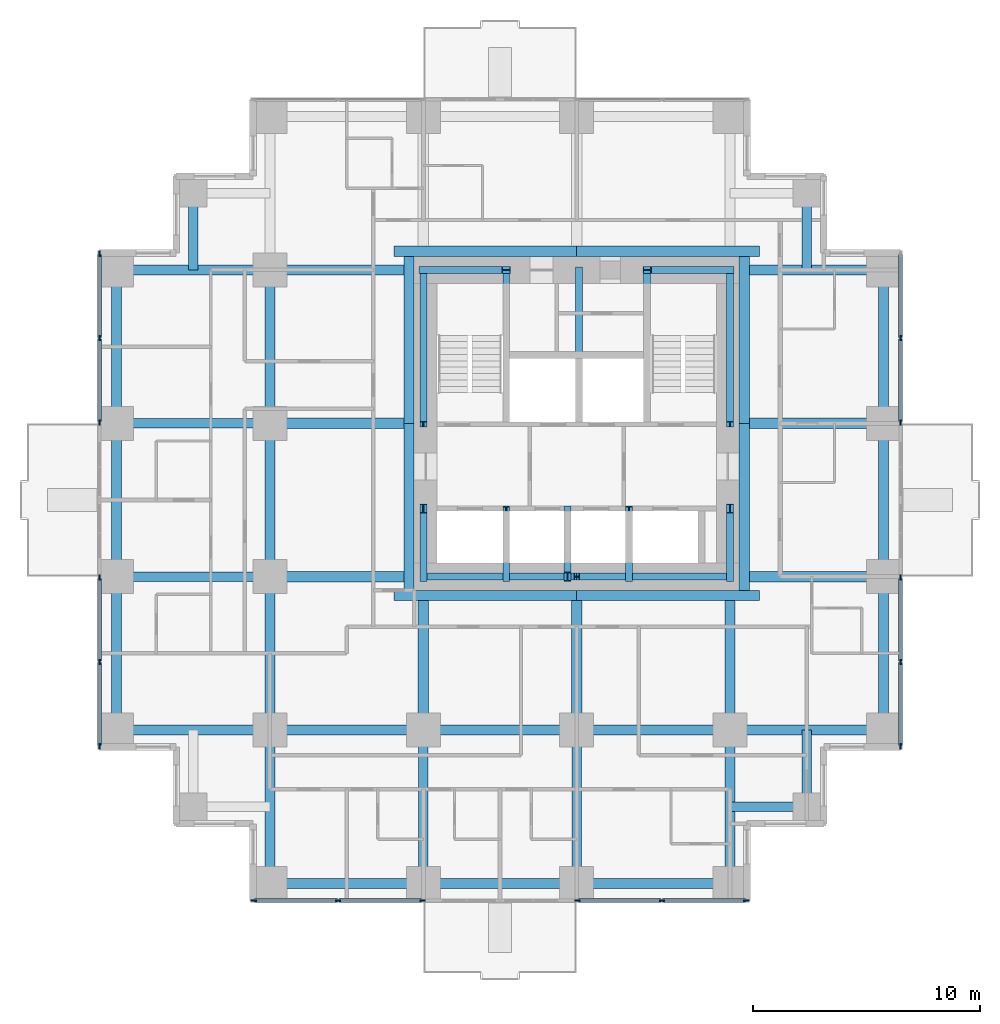
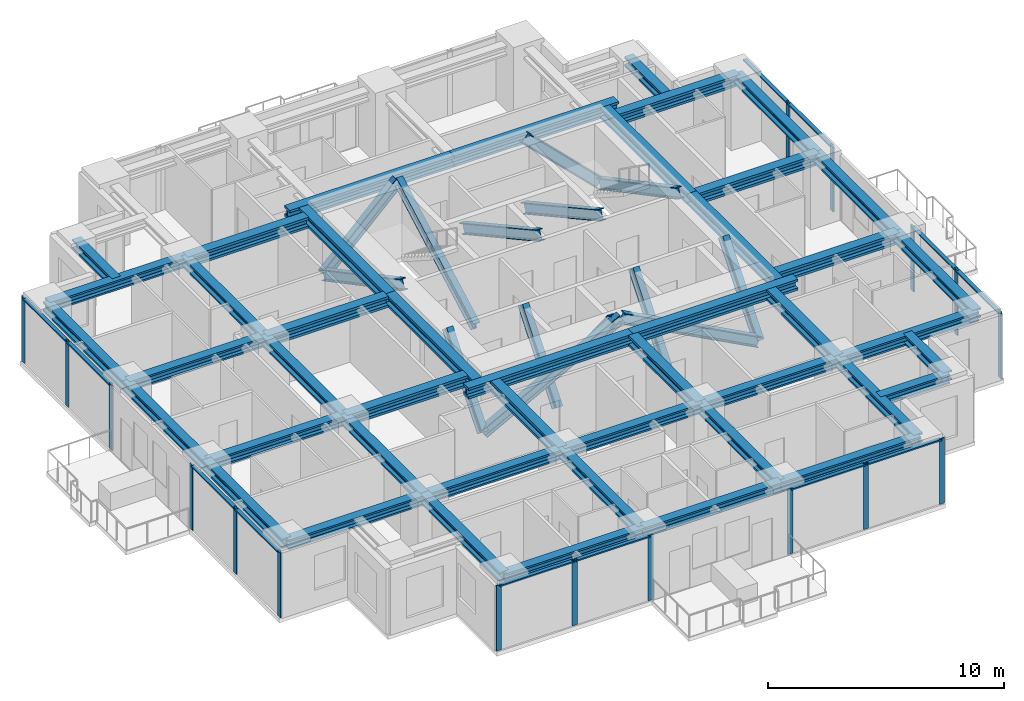
# One storey, part 2 of 10: 45 beams, 43 members, 6 elements without a shape of their own.
"""IFC4 building model written with IfcOpenShell, lengths in metres."""

from ifc_helpers import new_model, si_unit, direction, frame, origin, origin_2d, place, context, subcontext, project, spatial, rectangle, i_section, extrude, material, material_profile, profile_set, type_object, element, aggregate, save


model = new_model("IFC4")

# Units and contexts
model_context = context("Model", 3, precision=1e-05, world=origin(), true_north=direction((0.0, 1.0)))
body_context = subcontext(model_context, "Body", "Model", "MODEL_VIEW")
ifc_project = project(units=[si_unit("LENGTHUNIT", "METRE"), si_unit("AREAUNIT", "SQUARE_METRE"), si_unit("VOLUMEUNIT", "CUBIC_METRE"), si_unit("PLANEANGLEUNIT", "RADIAN"), si_unit("MASSUNIT", "GRAM", prefix="KILO")], contexts=[model_context])

# Site, building, storey
site_placement = place(None, origin())
site = spatial("IfcSite", under=ifc_project, at=site_placement, CompositionType="ELEMENT")
building_placement = place(site_placement, origin())
building = spatial("IfcBuilding", under=site, at=building_placement, Name="Nyansa Garden Tower", CompositionType="ELEMENT")
storey_placement = place(building_placement, frame((0.0, 0.0, 149.39990234375)))
storey = spatial("IfcBuildingStorey", under=building, at=storey_placement, Name="L40", CompositionType="ELEMENT", Elevation=149.39990234375)

# Curtain wall, members
ifc_material_1 = material(Name="Black anodised aluminium, dark tinted double glazing", Category="aluminium")
curtain_wall_type = type_object("IfcCurtainWallType", Name="Inner skin curtain wall ISW-C", PredefinedType="USERDEFINED", material=ifc_material_1)
curtain_wall_1_placement = place(storey_placement, origin())
curtain_wall_1 = element("IfcCurtainWall", 1, at=curtain_wall_1_placement, inside=storey, type_object=curtain_wall_type, Name="Inner skin curtain wall L40 E", ObjectType="UNITISED CURTAIN WALL", PredefinedType="USERDEFINED")
ifc_material_2 = material(Name="Black anodised aluminium", Category="aluminium")
ifc_material_profile_1 = material_profile(ifc_material_2, rectangle(XDim=0.070068359375, YDim=0.25, at=origin_2d()), Name="Mullion 250x70")
ifc_profile_set_1 = profile_set([ifc_material_profile_1], Name="Black anodised aluminium")
member_type_1 = type_object("IfcMemberType", Name="Mullion ISW-C 250x70", PredefinedType="MULLION", material=ifc_profile_set_1)
member_1_placement = place(storey_placement, frame((34.5, 6.034912109375, 0.0), z_axis=(0.0, 0.0, 1.0), x_axis=(-1.0, 0.0, 0.0)))
member_1 = element("IfcMember", 2, at=member_1_placement, type_object=member_type_1, Name="ISW-C mullion 1", PredefinedType="MULLION", context=body_context, shape_type="SweptSolid", body=[
    extrude(rectangle(XDim=0.070068359375, YDim=0.25, at=origin_2d()), origin(), (0.0, 0.0, 1.0), 3.375),
])
member_2_placement = place(storey_placement, frame((34.5, 9.75, 0.0), z_axis=(0.0, 0.0, 1.0), x_axis=(-1.0, 0.0, 0.0)))
member_2 = element("IfcMember", 3, at=member_2_placement, type_object=member_type_1, Name="ISW-C mullion 2", PredefinedType="MULLION", context=body_context, shape_type="SweptSolid", body=[
    extrude(rectangle(XDim=0.070068359375, YDim=0.25, at=origin_2d()), origin(), (0.0, 0.0, 1.0), 3.375),
])
member_3_placement = place(storey_placement, frame((34.5, 13.465087890625, 0.0), z_axis=(0.0, 0.0, 1.0), x_axis=(-1.0, 0.0, 0.0)))
member_3 = element("IfcMember", 4, at=member_3_placement, type_object=member_type_1, Name="ISW-C mullion 3", PredefinedType="MULLION", context=body_context, shape_type="SweptSolid", body=[
    extrude(rectangle(XDim=0.070068359375, YDim=0.25, at=origin_2d()), origin(), (0.0, 0.0, 1.0), 3.375),
])

curtain_wall_2_placement = place(storey_placement, origin())
curtain_wall_2 = element("IfcCurtainWall", 5, at=curtain_wall_2_placement, inside=storey, type_object=curtain_wall_type, Name="Inner skin curtain wall L40 E", ObjectType="UNITISED CURTAIN WALL", PredefinedType="USERDEFINED")
member_4_placement = place(storey_placement, frame((34.5, 20.284912109375, 0.0), z_axis=(0.0, 0.0, 1.0), x_axis=(-1.0, 0.0, 0.0)))
member_4 = element("IfcMember", 6, at=member_4_placement, type_object=member_type_1, Name="ISW-C mullion 1", PredefinedType="MULLION", context=body_context, shape_type="SweptSolid", body=[
    extrude(rectangle(XDim=0.070068359375, YDim=0.25, at=origin_2d()), origin(), (0.0, 0.0, 1.0), 3.375),
])
member_5_placement = place(storey_placement, frame((34.5, 24.0, 0.0), z_axis=(0.0, 0.0, 1.0), x_axis=(-1.0, 0.0, 0.0)))
member_5 = element("IfcMember", 7, at=member_5_placement, type_object=member_type_1, Name="ISW-C mullion 2", PredefinedType="MULLION", context=body_context, shape_type="SweptSolid", body=[
    extrude(rectangle(XDim=0.070068359375, YDim=0.25, at=origin_2d()), origin(), (0.0, 0.0, 1.0), 3.375),
])

curtain_wall_3_placement = place(storey_placement, origin())
curtain_wall_3 = element("IfcCurtainWall", 8, at=curtain_wall_3_placement, inside=storey, type_object=curtain_wall_type, Name="Inner skin curtain wall L40 W", ObjectType="UNITISED CURTAIN WALL", PredefinedType="USERDEFINED")
member_6_placement = place(storey_placement, frame((-0.75, 13.465087890625, 0.0), z_axis=(0.0, 0.0, 1.0), x_axis=(1.0, 0.0, 0.0)))
member_6 = element("IfcMember", 9, at=member_6_placement, type_object=member_type_1, Name="ISW-C mullion 1", PredefinedType="MULLION", context=body_context, shape_type="SweptSolid", body=[
    extrude(rectangle(XDim=0.070068359375, YDim=0.25, at=origin_2d()), origin(), (0.0, 0.0, 1.0), 3.375),
])
member_7_placement = place(storey_placement, frame((-0.75, 9.75, 0.0), z_axis=(0.0, 0.0, 1.0), x_axis=(1.0, 0.0, 0.0)))
member_7 = element("IfcMember", 10, at=member_7_placement, type_object=member_type_1, Name="ISW-C mullion 2", PredefinedType="MULLION", context=body_context, shape_type="SweptSolid", body=[
    extrude(rectangle(XDim=0.070068359375, YDim=0.25, at=origin_2d()), origin(), (0.0, 0.0, 1.0), 3.375),
])
member_8_placement = place(storey_placement, frame((-0.75, 6.034912109375, 0.0), z_axis=(0.0, 0.0, 1.0), x_axis=(1.0, 0.0, 0.0)))
member_8 = element("IfcMember", 11, at=member_8_placement, type_object=member_type_1, Name="ISW-C mullion 3", PredefinedType="MULLION", context=body_context, shape_type="SweptSolid", body=[
    extrude(rectangle(XDim=0.070068359375, YDim=0.25, at=origin_2d()), origin(), (0.0, 0.0, 1.0), 3.375),
])

curtain_wall_4_placement = place(storey_placement, origin())
curtain_wall_4 = element("IfcCurtainWall", 12, at=curtain_wall_4_placement, inside=storey, type_object=curtain_wall_type, Name="Inner skin curtain wall L40 W", ObjectType="UNITISED CURTAIN WALL", PredefinedType="USERDEFINED")
member_9_placement = place(storey_placement, frame((-0.75, 27.715087890625, 0.0), z_axis=(0.0, 0.0, 1.0), x_axis=(1.0, 0.0, 0.0)))
member_9 = element("IfcMember", 13, at=member_9_placement, type_object=member_type_1, Name="ISW-C mullion 1", PredefinedType="MULLION", context=body_context, shape_type="SweptSolid", body=[
    extrude(rectangle(XDim=0.070068359375, YDim=0.25, at=origin_2d()), origin(), (0.0, 0.0, 1.0), 3.375),
])
member_10_placement = place(storey_placement, frame((-0.75, 24.0, 0.0), z_axis=(0.0, 0.0, 1.0), x_axis=(1.0, 0.0, 0.0)))
member_10 = element("IfcMember", 14, at=member_10_placement, type_object=member_type_1, Name="ISW-C mullion 2", PredefinedType="MULLION", context=body_context, shape_type="SweptSolid", body=[
    extrude(rectangle(XDim=0.070068359375, YDim=0.25, at=origin_2d()), origin(), (0.0, 0.0, 1.0), 3.375),
])
member_11_placement = place(storey_placement, frame((-0.75, 20.284912109375, 0.0), z_axis=(0.0, 0.0, 1.0), x_axis=(1.0, 0.0, 0.0)))
member_11 = element("IfcMember", 15, at=member_11_placement, type_object=member_type_1, Name="ISW-C mullion 3", PredefinedType="MULLION", context=body_context, shape_type="SweptSolid", body=[
    extrude(rectangle(XDim=0.070068359375, YDim=0.25, at=origin_2d()), origin(), (0.0, 0.0, 1.0), 3.375),
])

curtain_wall_5_placement = place(storey_placement, origin())
curtain_wall_5 = element("IfcCurtainWall", 16, at=curtain_wall_5_placement, inside=storey, type_object=curtain_wall_type, Name="Inner skin curtain wall L40 S", ObjectType="UNITISED CURTAIN WALL", PredefinedType="USERDEFINED")
member_12_placement = place(storey_placement, frame((6.034912109375, -0.75, 0.0), z_axis=(0.0, 0.0, 1.0), x_axis=(0.0, 1.0, 0.0)))
member_12 = element("IfcMember", 17, at=member_12_placement, type_object=member_type_1, Name="ISW-C mullion 1", PredefinedType="MULLION", context=body_context, shape_type="SweptSolid", body=[
    extrude(rectangle(XDim=0.070068359375, YDim=0.25, at=origin_2d()), origin(), (0.0, 0.0, 1.0), 3.375),
])
member_13_placement = place(storey_placement, frame((9.75, -0.75, 0.0), z_axis=(0.0, 0.0, 1.0), x_axis=(0.0, 1.0, 0.0)))
member_13 = element("IfcMember", 18, at=member_13_placement, type_object=member_type_1, Name="ISW-C mullion 2", PredefinedType="MULLION", context=body_context, shape_type="SweptSolid", body=[
    extrude(rectangle(XDim=0.070068359375, YDim=0.25, at=origin_2d()), origin(), (0.0, 0.0, 1.0), 3.375),
])
member_14_placement = place(storey_placement, frame((13.465087890625, -0.75, 0.0), z_axis=(0.0, 0.0, 1.0), x_axis=(0.0, 1.0, 0.0)))
member_14 = element("IfcMember", 19, at=member_14_placement, type_object=member_type_1, Name="ISW-C mullion 3", PredefinedType="MULLION", context=body_context, shape_type="SweptSolid", body=[
    extrude(rectangle(XDim=0.070068359375, YDim=0.25, at=origin_2d()), origin(), (0.0, 0.0, 1.0), 3.375),
])

curtain_wall_6_placement = place(storey_placement, origin())
curtain_wall_6 = element("IfcCurtainWall", 20, at=curtain_wall_6_placement, inside=storey, type_object=curtain_wall_type, Name="Inner skin curtain wall L40 S", ObjectType="UNITISED CURTAIN WALL", PredefinedType="USERDEFINED")
member_15_placement = place(storey_placement, frame((20.284912109375, -0.75, 0.0), z_axis=(0.0, 0.0, 1.0), x_axis=(0.0, 1.0, 0.0)))
member_15 = element("IfcMember", 21, at=member_15_placement, type_object=member_type_1, Name="ISW-C mullion 1", PredefinedType="MULLION", context=body_context, shape_type="SweptSolid", body=[
    extrude(rectangle(XDim=0.070068359375, YDim=0.25, at=origin_2d()), origin(), (0.0, 0.0, 1.0), 3.375),
])
member_16_placement = place(storey_placement, frame((24.0, -0.75, 0.0), z_axis=(0.0, 0.0, 1.0), x_axis=(0.0, 1.0, 0.0)))
member_16 = element("IfcMember", 22, at=member_16_placement, type_object=member_type_1, Name="ISW-C mullion 2", PredefinedType="MULLION", context=body_context, shape_type="SweptSolid", body=[
    extrude(rectangle(XDim=0.070068359375, YDim=0.25, at=origin_2d()), origin(), (0.0, 0.0, 1.0), 3.375),
])
member_17_placement = place(storey_placement, frame((27.715087890625, -0.75, 0.0), z_axis=(0.0, 0.0, 1.0), x_axis=(0.0, 1.0, 0.0)))
member_17 = element("IfcMember", 23, at=member_17_placement, type_object=member_type_1, Name="ISW-C mullion 3", PredefinedType="MULLION", context=body_context, shape_type="SweptSolid", body=[
    extrude(rectangle(XDim=0.070068359375, YDim=0.25, at=origin_2d()), origin(), (0.0, 0.0, 1.0), 3.375),
])

# Members
ifc_material_3 = material(Name="Steel S355", Category="steel")
ifc_material_profile_2 = material_profile(ifc_material_3, i_section(OverallWidth=0.305908203125, OverallDepth=0.52392578125, WebThickness=0.02099609375, FlangeThickness=0.0400390625, FilletRadius=0.027099609375, at=origin_2d()), Name="HE 500 M")
ifc_profile_set_2 = profile_set([ifc_material_profile_2], Name="Steel S355")
member_type_2 = type_object("IfcMemberType", Name="Perimeter brace HE 500 M", PredefinedType="BRACE", material=ifc_profile_set_2)
for number, where, z_axis, x_axis, name in (
    (24, (13.5, 13.5, 0.0), (0.882347640589, 0.0, 0.47059817376), (0.0, 1.0, 0.0), "Core brace CS1 L40"),
    (25, (27.0, 13.5, 0.0), (-0.882347640589, 0.0, 0.47059817376), (0.0, -1.0, 0.0), "Core brace CS2 L40"),
):
    element("IfcMember", number, at=place(storey_placement, frame(where, z_axis=z_axis, x_axis=x_axis)), inside=storey, type_object=member_type_2, Name=name, PredefinedType="BRACE", context=body_context, shape_type="SweptSolid", body=[
        extrude(i_section(OverallWidth=0.305908203125, OverallDepth=0.52392578125, WebThickness=0.02099609375, FlangeThickness=0.0400390625, FilletRadius=0.027099609375, at=origin_2d()), origin(), (0.0, 0.0, 1.0), 7.650146484375),
    ])
for number, where, z_axis, x_axis, name in (
    (26, (13.5, 27.0, 0.0), (0.711947531702, 0.0, 0.702232662373), (0.0, 1.0, 0.0), "Core brace CN3 L40"),
    (27, (27.0, 27.0, 0.0), (-0.711947531702, 0.0, 0.702232662373), (0.0, -1.0, 0.0), "Core brace CN4 L40"),
):
    element("IfcMember", number, at=place(storey_placement, frame(where, z_axis=z_axis, x_axis=x_axis)), inside=storey, type_object=member_type_2, Name=name, PredefinedType="BRACE", context=body_context, shape_type="SweptSolid", body=[
        extrude(i_section(OverallWidth=0.305908203125, OverallDepth=0.52392578125, WebThickness=0.02099609375, FlangeThickness=0.0400390625, FilletRadius=0.027099609375, at=origin_2d()), origin(), (0.0, 0.0, 1.0), 5.126708984375),
    ])
member_18_placement = place(storey_placement, frame((13.5, 13.5, 0.0), z_axis=(0.0, 0.640174150918, 0.768229820104), x_axis=(-1.0, 0.0, 0.0)))
element("IfcMember", 28, at=member_18_placement, inside=storey, type_object=member_type_2, Name="Core brace CW5 L40", PredefinedType="BRACE", context=body_context, shape_type="SweptSolid", body=[
    extrude(i_section(OverallWidth=0.305908203125, OverallDepth=0.52392578125, WebThickness=0.02099609375, FlangeThickness=0.0400390625, FilletRadius=0.027099609375, at=origin_2d()), origin(), (0.0, 0.0, 1.0), 4.686279296875),
])
member_19_placement = place(storey_placement, frame((13.5, 27.0, 0.0), z_axis=(0.0, -0.883784057226, 0.467895009796), x_axis=(1.0, 0.0, 0.0)))
element("IfcMember", 29, at=member_19_placement, inside=storey, type_object=member_type_2, Name="Core brace CW6 L40", PredefinedType="BRACE", context=body_context, shape_type="SweptSolid", body=[
    extrude(i_section(OverallWidth=0.305908203125, OverallDepth=0.52392578125, WebThickness=0.02099609375, FlangeThickness=0.0400390625, FilletRadius=0.027099609375, at=origin_2d()), origin(), (0.0, 0.0, 1.0), 7.6943359375),
])
member_20_placement = place(storey_placement, frame((27.0, 13.5, 0.0), z_axis=(0.0, 0.640174150918, 0.768229820104), x_axis=(-1.0, 0.0, 0.0)))
element("IfcMember", 30, at=member_20_placement, inside=storey, type_object=member_type_2, Name="Core brace CE7 L40", PredefinedType="BRACE", context=body_context, shape_type="SweptSolid", body=[
    extrude(i_section(OverallWidth=0.305908203125, OverallDepth=0.52392578125, WebThickness=0.02099609375, FlangeThickness=0.0400390625, FilletRadius=0.027099609375, at=origin_2d()), origin(), (0.0, 0.0, 1.0), 4.686279296875),
])
member_21_placement = place(storey_placement, frame((27.0, 27.0, 0.0), z_axis=(0.0, -0.883784057226, 0.467895009796), x_axis=(1.0, 0.0, 0.0)))
element("IfcMember", 31, at=member_21_placement, inside=storey, type_object=member_type_2, Name="Core brace CE8 L40", PredefinedType="BRACE", context=body_context, shape_type="SweptSolid", body=[
    extrude(i_section(OverallWidth=0.305908203125, OverallDepth=0.52392578125, WebThickness=0.02099609375, FlangeThickness=0.0400390625, FilletRadius=0.027099609375, at=origin_2d()), origin(), (0.0, 0.0, 1.0), 7.6943359375),
])
for number, where, z_axis, x_axis, name in (
    (32, (17.14990234375, 20.449951171875, 0.0), (0.0, 0.876353113771, 0.481669201822), (-1.0, 0.0, 0.0), "Core brace CWS9 L40"),
    (33, (23.35009765625, 27.0, 0.0), (0.0, -0.876353113771, 0.481669201822), (1.0, 0.0, 0.0), "Core brace CES10 L40"),
):
    element("IfcMember", number, at=place(storey_placement, frame(where, z_axis=z_axis, x_axis=x_axis)), inside=storey, type_object=member_type_2, Name=name, PredefinedType="BRACE", context=body_context, shape_type="SweptSolid", body=[
        extrude(i_section(OverallWidth=0.305908203125, OverallDepth=0.52392578125, WebThickness=0.02099609375, FlangeThickness=0.0400390625, FilletRadius=0.027099609375, at=origin_2d()), origin(), (0.0, 0.0, 1.0), 7.47412109375),
    ])
for number, where, z_axis, x_axis, name in (
    (34, (17.14990234375, 13.5, 0.0), (0.0, 0.627306405886, 0.778772542617), (-1.0, 0.0, 0.0), "Core brace CSW11 L40"),
    (35, (19.85009765625, 16.39990234375, 0.0), (0.0, -0.627306405886, 0.778772542617), (1.0, 0.0, 0.0), "Core brace CSW12 L40"),
    (36, (22.550048828125, 13.5, 0.0), (0.0, 0.627306405886, 0.778772542617), (-1.0, 0.0, 0.0), "Core brace CSW13 L40"),
):
    element("IfcMember", number, at=place(storey_placement, frame(where, z_axis=z_axis, x_axis=x_axis)), inside=storey, type_object=member_type_2, Name=name, PredefinedType="BRACE", context=body_context, shape_type="SweptSolid", body=[
        extrude(i_section(OverallWidth=0.305908203125, OverallDepth=0.52392578125, WebThickness=0.02099609375, FlangeThickness=0.0400390625, FilletRadius=0.027099609375, at=origin_2d()), origin(), (0.0, 0.0, 1.0), 4.622802734375),
    ])
member_22_placement = place(storey_placement, frame((20.35009765625, 27.0, 0.0), z_axis=(0.0, -0.876353113771, 0.481669201822), x_axis=(1.0, 0.0, 0.0)))
element("IfcMember", 37, at=member_22_placement, inside=storey, type_object=member_type_2, Name="Core brace CNW14 L40", PredefinedType="BRACE", context=body_context, shape_type="SweptSolid", body=[
    extrude(i_section(OverallWidth=0.305908203125, OverallDepth=0.52392578125, WebThickness=0.02099609375, FlangeThickness=0.0400390625, FilletRadius=0.027099609375, at=origin_2d()), origin(), (0.0, 0.0, 1.0), 7.47412109375),
])

# Beams
ifc_material_4 = material(Name="Steel S355", Category="steel")
ifc_material_profile_3 = material_profile(ifc_material_4, i_section(OverallWidth=0.431884765625, OverallDepth=0.498046875, WebThickness=0.0556640625, FlangeThickness=0.0888671875, FilletRadius=0.014892578125, at=origin_2d()), Name="HD 400x744")
ifc_profile_set_3 = profile_set([ifc_material_profile_3], Name="Steel S355")
beam_type_1 = type_object("IfcBeamType", Name="Steel beam SBC1-744 HD 400x744", PredefinedType="BEAM", material=ifc_profile_set_3)
for number, where, z_axis, x_axis, name in (
    (38, (0.0, 6.75, 3.1259765625), (1.0, 0.0, 0.0), (0.0, 1.0, 0.0), "Steel beam 2/E-3/E L41"),
    (39, (0.0, 13.5, 3.1259765625), (1.0, 0.0, 0.0), (0.0, 1.0, 0.0), "Steel beam 2/F-3/F L41"),
    (40, (0.0, 20.25, 3.1259765625), (1.0, 0.0, 0.0), (0.0, 1.0, 0.0), "Steel beam 2/G-3/G L41"),
    (41, (0.0, 27.0, 3.1259765625), (1.0, 0.0, 0.0), (0.0, 1.0, 0.0), "Steel beam 2/H-3/H L41"),
    (42, (6.75, 0.0, 3.1259765625), (0.0, 1.0, 0.0), (-1.0, 0.0, 0.0), "Steel beam 3/D-3/E L41"),
    (43, (6.75, 6.75, 3.1259765625), (0.0, 1.0, 0.0), (-1.0, 0.0, 0.0), "Steel beam 3/E-3/F L41"),
    (44, (6.75, 6.75, 3.1259765625), (1.0, 0.0, 0.0), (0.0, 1.0, 0.0), "Steel beam 3/E-4/E L41"),
    (45, (6.75, 13.5, 3.1259765625), (0.0, 1.0, 0.0), (-1.0, 0.0, 0.0), "Steel beam 3/F-3/G L41"),
    (46, (6.75, 20.25, 3.1259765625), (0.0, 1.0, 0.0), (-1.0, 0.0, 0.0), "Steel beam 3/G-3/H L41"),
    (47, (13.5, 0.0, 3.1259765625), (0.0, 1.0, 0.0), (-1.0, 0.0, 0.0), "Steel beam 4/D-4/E L41"),
    (48, (13.5, 6.75, 3.1259765625), (1.0, 0.0, 0.0), (0.0, 1.0, 0.0), "Steel beam 4/E-5/E L41"),
    (49, (20.25, 0.0, 3.1259765625), (0.0, 1.0, 0.0), (-1.0, 0.0, 0.0), "Steel beam 5/D-5/E L41"),
    (50, (20.25, 6.75, 3.1259765625), (1.0, 0.0, 0.0), (0.0, 1.0, 0.0), "Steel beam 5/E-6/E L41"),
    (51, (27.0, 0.0, 3.1259765625), (0.0, 1.0, 0.0), (-1.0, 0.0, 0.0), "Steel beam 6/D-6/E L41"),
    (52, (27.0, 6.75, 3.1259765625), (1.0, 0.0, 0.0), (0.0, 1.0, 0.0), "Steel beam 6/E-7/E L41"),
):
    element("IfcBeam", number, at=place(storey_placement, frame(where, z_axis=z_axis, x_axis=x_axis)), inside=storey, type_object=beam_type_1, Name=name, PredefinedType="BEAM", context=body_context, shape_type="SweptSolid", body=[
        extrude(i_section(OverallWidth=0.431884765625, OverallDepth=0.498046875, WebThickness=0.0556640625, FlangeThickness=0.0888671875, FilletRadius=0.014892578125, at=origin_2d()), origin(), (0.0, 0.0, 1.0), 6.75),
    ])
ifc_material_5 = material(Name="Steel S355", Category="steel")
ifc_material_profile_4 = material_profile(ifc_material_5, i_section(OverallWidth=0.4541015625, OverallDepth=0.569091796875, WebThickness=0.077880859375, FlangeThickness=0.125, FilletRadius=0.014892578125, at=origin_2d()), Name="HD 400x1086")
ifc_profile_set_4 = profile_set([ifc_material_profile_4], Name="Steel S355")
beam_type_2 = type_object("IfcBeamType", Name="Steel beam SCL-1086 HD 400x1086", PredefinedType="BEAM", material=ifc_profile_set_4)
for number, where, z_axis, x_axis, name in (
    (53, (6.75, 13.5, 3.090576171875), (1.0, 0.0, 0.0), (0.0, 1.0, 0.0), "Steel beam 3/F-12.650/F L41"),
    (54, (6.75, 20.25, 3.090576171875), (1.0, 0.0, 0.0), (0.0, 1.0, 0.0), "Steel beam 3/G-12.650/G L41"),
    (55, (6.75, 27.0, 3.090576171875), (1.0, 0.0, 0.0), (0.0, 1.0, 0.0), "Steel beam 3/H-12.650/H L41"),
):
    element("IfcBeam", number, at=place(storey_placement, frame(where, z_axis=z_axis, x_axis=x_axis)), inside=storey, type_object=beam_type_2, Name=name, PredefinedType="BEAM", context=body_context, shape_type="SweptSolid", body=[
        extrude(i_section(OverallWidth=0.4541015625, OverallDepth=0.569091796875, WebThickness=0.077880859375, FlangeThickness=0.125, FilletRadius=0.014892578125, at=origin_2d()), origin(), (0.0, 0.0, 1.0), 5.89990234375),
    ])
for number, where, z_axis, x_axis, name in (
    (56, (13.5, 6.75, 3.090576171875), (0.0, 1.0, 0.0), (-1.0, 0.0, 0.0), "Steel beam 4/E-4/12.450 L41"),
    (57, (20.25, 6.75, 3.090576171875), (0.0, 1.0, 0.0), (-1.0, 0.0, 0.0), "Steel beam 5/E-5/12.450 L41"),
    (58, (27.0, 6.75, 3.090576171875), (0.0, 1.0, 0.0), (-1.0, 0.0, 0.0), "Steel beam 6/E-6/12.450 L41"),
):
    element("IfcBeam", number, at=place(storey_placement, frame(where, z_axis=z_axis, x_axis=x_axis)), inside=storey, type_object=beam_type_2, Name=name, PredefinedType="BEAM", context=body_context, shape_type="SweptSolid", body=[
        extrude(i_section(OverallWidth=0.4541015625, OverallDepth=0.569091796875, WebThickness=0.077880859375, FlangeThickness=0.125, FilletRadius=0.014892578125, at=origin_2d()), origin(), (0.0, 0.0, 1.0), 5.699951171875),
    ])
for number, where, z_axis, x_axis, name in (
    (59, (27.85009765625, 13.5, 3.090576171875), (1.0, 0.0, 0.0), (0.0, 1.0, 0.0), "Steel beam 27.850/F-7/F L41"),
    (60, (27.85009765625, 20.25, 3.090576171875), (1.0, 0.0, 0.0), (0.0, 1.0, 0.0), "Steel beam 27.850/G-7/G L41"),
    (61, (27.85009765625, 27.0, 3.090576171875), (1.0, 0.0, 0.0), (0.0, 1.0, 0.0), "Steel beam 27.850/H-7/H L41"),
):
    element("IfcBeam", number, at=place(storey_placement, frame(where, z_axis=z_axis, x_axis=x_axis)), inside=storey, type_object=beam_type_2, Name=name, PredefinedType="BEAM", context=body_context, shape_type="SweptSolid", body=[
        extrude(i_section(OverallWidth=0.4541015625, OverallDepth=0.569091796875, WebThickness=0.077880859375, FlangeThickness=0.125, FilletRadius=0.014892578125, at=origin_2d()), origin(), (0.0, 0.0, 1.0), 5.89990234375),
    ])
for number, where, z_axis, x_axis, name in (
    (62, (12.199951171875, 12.673095703125, 3.090576171875), (1.0, 0.0, 0.0), (0.0, 1.0, 0.0), "Steel core ledger beam S.1 L41"),
    (63, (20.25, 12.673095703125, 3.090576171875), (1.0, 0.0, 0.0), (0.0, 1.0, 0.0), "Steel core ledger beam S.2 L41"),
):
    element("IfcBeam", number, at=place(storey_placement, frame(where, z_axis=z_axis, x_axis=x_axis)), inside=storey, type_object=beam_type_2, Name=name, PredefinedType="BEAM", context=body_context, shape_type="SweptSolid", body=[
        extrude(i_section(OverallWidth=0.4541015625, OverallDepth=0.569091796875, WebThickness=0.077880859375, FlangeThickness=0.125, FilletRadius=0.014892578125, at=origin_2d()), origin(), (0.0, 0.0, 1.0), 8.050048828125),
    ])
for number, where, z_axis, x_axis, name in (
    (64, (27.626953125, 12.89990234375, 3.090576171875), (0.0, 1.0, 0.0), (-1.0, 0.0, 0.0), "Steel core ledger beam E.1 L41"),
    (65, (27.626953125, 20.25, 3.090576171875), (0.0, 1.0, 0.0), (-1.0, 0.0, 0.0), "Steel core ledger beam E.2 L41"),
):
    element("IfcBeam", number, at=place(storey_placement, frame(where, z_axis=z_axis, x_axis=x_axis)), inside=storey, type_object=beam_type_2, Name=name, PredefinedType="BEAM", context=body_context, shape_type="SweptSolid", body=[
        extrude(i_section(OverallWidth=0.4541015625, OverallDepth=0.569091796875, WebThickness=0.077880859375, FlangeThickness=0.125, FilletRadius=0.014892578125, at=origin_2d()), origin(), (0.0, 0.0, 1.0), 7.35009765625),
    ])
for number, where, z_axis, x_axis, name in (
    (66, (28.300048828125, 27.826904296875, 3.090576171875), (-1.0, 0.0, 0.0), (0.0, -1.0, 0.0), "Steel core ledger beam N.1 L41"),
    (67, (20.25, 27.826904296875, 3.090576171875), (-1.0, 0.0, 0.0), (0.0, -1.0, 0.0), "Steel core ledger beam N.2 L41"),
):
    element("IfcBeam", number, at=place(storey_placement, frame(where, z_axis=z_axis, x_axis=x_axis)), inside=storey, type_object=beam_type_2, Name=name, PredefinedType="BEAM", context=body_context, shape_type="SweptSolid", body=[
        extrude(i_section(OverallWidth=0.4541015625, OverallDepth=0.569091796875, WebThickness=0.077880859375, FlangeThickness=0.125, FilletRadius=0.014892578125, at=origin_2d()), origin(), (0.0, 0.0, 1.0), 8.050048828125),
    ])
for number, where, z_axis, x_axis, name in (
    (68, (12.873046875, 27.60009765625, 3.090576171875), (0.0, -1.0, 0.0), (1.0, 0.0, 0.0), "Steel core ledger beam W.1 L41"),
    (69, (12.873046875, 20.25, 3.090576171875), (0.0, -1.0, 0.0), (1.0, 0.0, 0.0), "Steel core ledger beam W.2 L41"),
):
    element("IfcBeam", number, at=place(storey_placement, frame(where, z_axis=z_axis, x_axis=x_axis)), inside=storey, type_object=beam_type_2, Name=name, PredefinedType="BEAM", context=body_context, shape_type="SweptSolid", body=[
        extrude(i_section(OverallWidth=0.4541015625, OverallDepth=0.569091796875, WebThickness=0.077880859375, FlangeThickness=0.125, FilletRadius=0.014892578125, at=origin_2d()), origin(), (0.0, 0.0, 1.0), 7.35009765625),
    ])
ifc_material_6 = material(Name="Steel S355", Category="steel")
ifc_material_profile_5 = material_profile(ifc_material_6, i_section(OverallWidth=0.431884765625, OverallDepth=0.498046875, WebThickness=0.0556640625, FlangeThickness=0.0888671875, FilletRadius=0.014892578125, at=origin_2d()), Name="HD 400x744")
ifc_profile_set_5 = profile_set([ifc_material_profile_5], Name="Steel S355")
beam_type_3 = type_object("IfcBeamType", Name="Steel beam SEBC-744 HD 400x744", PredefinedType="BEAM", material=ifc_profile_set_5)
for number, where, z_axis, x_axis, name in (
    (70, (0.0, 6.75, 3.1259765625), (0.0, 1.0, 0.0), (-1.0, 0.0, 0.0), "Steel edge beam 2/E-2/F L41"),
    (71, (0.0, 13.5, 3.1259765625), (0.0, 1.0, 0.0), (-1.0, 0.0, 0.0), "Steel edge beam 2/F-2/G L41"),
    (72, (0.0, 20.25, 3.1259765625), (0.0, 1.0, 0.0), (-1.0, 0.0, 0.0), "Steel edge beam 2/G-2/H L41"),
    (73, (6.75, 0.0, 3.1259765625), (1.0, 0.0, 0.0), (0.0, 1.0, 0.0), "Steel edge beam 3/D-4/D L41"),
    (74, (13.5, 0.0, 3.1259765625), (1.0, 0.0, 0.0), (0.0, 1.0, 0.0), "Steel edge beam 4/D-5/D L41"),
    (75, (20.25, 0.0, 3.1259765625), (1.0, 0.0, 0.0), (0.0, 1.0, 0.0), "Steel edge beam 5/D-6/D L41"),
    (76, (33.75, 6.75, 3.1259765625), (0.0, 1.0, 0.0), (-1.0, 0.0, 0.0), "Steel edge beam 7/E-7/F L41"),
    (77, (33.75, 13.5, 3.1259765625), (0.0, 1.0, 0.0), (-1.0, 0.0, 0.0), "Steel edge beam 7/F-7/G L41"),
    (78, (33.75, 20.25, 3.1259765625), (0.0, 1.0, 0.0), (-1.0, 0.0, 0.0), "Steel edge beam 7/G-7/H L41"),
):
    element("IfcBeam", number, at=place(storey_placement, frame(where, z_axis=z_axis, x_axis=x_axis)), inside=storey, type_object=beam_type_3, Name=name, PredefinedType="BEAM", context=body_context, shape_type="SweptSolid", body=[
        extrude(i_section(OverallWidth=0.431884765625, OverallDepth=0.498046875, WebThickness=0.0556640625, FlangeThickness=0.0888671875, FilletRadius=0.014892578125, at=origin_2d()), origin(), (0.0, 0.0, 1.0), 6.75),
    ])
ifc_material_7 = material(Name="Steel S355", Category="steel")
ifc_material_profile_6 = material_profile(ifc_material_7, i_section(OverallWidth=0.431884765625, OverallDepth=0.498046875, WebThickness=0.0556640625, FlangeThickness=0.0888671875, FilletRadius=0.014892578125, at=origin_2d()), Name="HD 400x744")
ifc_profile_set_6 = profile_set([ifc_material_profile_6], Name="Steel S355")
beam_type_4 = type_object("IfcBeamType", Name="Steel beam SSB1-744 HD 400x744", PredefinedType="BEAM", material=ifc_profile_set_6)
for number, where, z_axis, x_axis, name in (
    (79, (30.375, 3.375, 3.1259765625), (0.0, 1.0, 0.0), (-1.0, 0.0, 0.0), "Steel step beam 30.375/3.375 L41"),
    (80, (30.375, 3.375, 3.1259765625), (-1.0, 0.0, 0.0), (0.0, -1.0, 0.0), "Steel step beam 30.375/3.375 L41"),
    (81, (30.375, 30.375, 3.1259765625), (0.0, -1.0, 0.0), (1.0, 0.0, 0.0), "Steel step beam 30.375/30.375 L41"),
    (82, (3.375, 30.375, 3.1259765625), (0.0, -1.0, 0.0), (1.0, 0.0, 0.0), "Steel step beam 3.375/30.375 L41"),
):
    element("IfcBeam", number, at=place(storey_placement, frame(where, z_axis=z_axis, x_axis=x_axis)), inside=storey, type_object=beam_type_4, Name=name, PredefinedType="BEAM", context=body_context, shape_type="SweptSolid", body=[
        extrude(i_section(OverallWidth=0.431884765625, OverallDepth=0.498046875, WebThickness=0.0556640625, FlangeThickness=0.0888671875, FilletRadius=0.014892578125, at=origin_2d()), origin(), (0.0, 0.0, 1.0), 3.375),
    ])

# Member
ifc_material_8 = material(Name="Black anodised aluminium", Category="aluminium")
ifc_material_profile_7 = material_profile(ifc_material_8, rectangle(XDim=0.179931640625, YDim=0.070068359375, at=origin_2d()), Name="Transom 180x70")
ifc_profile_set_7 = profile_set([ifc_material_profile_7], Name="Black anodised aluminium")
member_type_3 = type_object("IfcMemberType", Name="Transom ISW-C 180x70", PredefinedType="USERDEFINED", material=ifc_profile_set_7)
member_23_placement = place(storey_placement, frame((34.5, 6.070068359375, 3.340087890625), z_axis=(0.0, 1.0, 0.0), x_axis=(-1.0, 0.0, 0.0)))
member_23 = element("IfcMember", 83, at=member_23_placement, type_object=member_type_3, Name="ISW-C transom 1", ObjectType="TRANSOM", PredefinedType="USERDEFINED", context=body_context, shape_type="SweptSolid", body=[
    extrude(rectangle(XDim=0.179931640625, YDim=0.070068359375, at=origin_2d()), origin(), (0.0, 0.0, 1.0), 3.64501953125),
])

member_24_placement = place(storey_placement, frame((34.5, 9.784912109375, 3.340087890625), z_axis=(0.0, 1.0, 0.0), x_axis=(-1.0, 0.0, 0.0)))
member_24 = element("IfcMember", 84, at=member_24_placement, type_object=member_type_3, Name="ISW-C transom 2", ObjectType="TRANSOM", PredefinedType="USERDEFINED", context=body_context, shape_type="SweptSolid", body=[
    extrude(rectangle(XDim=0.179931640625, YDim=0.070068359375, at=origin_2d()), origin(), (0.0, 0.0, 1.0), 3.64501953125),
])

aggregate(curtain_wall_1, [member_1, member_2, member_3, member_23, member_24])

member_25_placement = place(storey_placement, frame((34.5, 20.320068359375, 3.340087890625), z_axis=(0.0, 1.0, 0.0), x_axis=(-1.0, 0.0, 0.0)))
member_25 = element("IfcMember", 85, at=member_25_placement, type_object=member_type_3, Name="ISW-C transom 1", ObjectType="TRANSOM", PredefinedType="USERDEFINED", context=body_context, shape_type="SweptSolid", body=[
    extrude(rectangle(XDim=0.179931640625, YDim=0.070068359375, at=origin_2d()), origin(), (0.0, 0.0, 1.0), 3.64501953125),
])

member_26_placement = place(storey_placement, frame((34.5, 24.034912109375, 3.340087890625), z_axis=(0.0, 1.0, 0.0), x_axis=(-1.0, 0.0, 0.0)))
member_26 = element("IfcMember", 86, at=member_26_placement, type_object=member_type_3, Name="ISW-C transom 2", ObjectType="TRANSOM", PredefinedType="USERDEFINED", context=body_context, shape_type="SweptSolid", body=[
    extrude(rectangle(XDim=0.179931640625, YDim=0.070068359375, at=origin_2d()), origin(), (0.0, 0.0, 1.0), 3.64501953125),
])

aggregate(curtain_wall_2, [member_4, member_5, member_25, member_26])

member_27_placement = place(storey_placement, frame((-0.75, 13.429931640625, 3.340087890625), z_axis=(0.0, -1.0, 0.0), x_axis=(1.0, 0.0, 0.0)))
member_27 = element("IfcMember", 87, at=member_27_placement, type_object=member_type_3, Name="ISW-C transom 1", ObjectType="TRANSOM", PredefinedType="USERDEFINED", context=body_context, shape_type="SweptSolid", body=[
    extrude(rectangle(XDim=0.179931640625, YDim=0.070068359375, at=origin_2d()), origin(), (0.0, 0.0, 1.0), 3.64501953125),
])

member_28_placement = place(storey_placement, frame((-0.75, 9.715087890625, 3.340087890625), z_axis=(0.0, -1.0, 0.0), x_axis=(1.0, 0.0, 0.0)))
member_28 = element("IfcMember", 88, at=member_28_placement, type_object=member_type_3, Name="ISW-C transom 2", ObjectType="TRANSOM", PredefinedType="USERDEFINED", context=body_context, shape_type="SweptSolid", body=[
    extrude(rectangle(XDim=0.179931640625, YDim=0.070068359375, at=origin_2d()), origin(), (0.0, 0.0, 1.0), 3.64501953125),
])

aggregate(curtain_wall_3, [member_6, member_7, member_8, member_27, member_28])

member_29_placement = place(storey_placement, frame((-0.75, 27.679931640625, 3.340087890625), z_axis=(0.0, -1.0, 0.0), x_axis=(1.0, 0.0, 0.0)))
member_29 = element("IfcMember", 89, at=member_29_placement, type_object=member_type_3, Name="ISW-C transom 1", ObjectType="TRANSOM", PredefinedType="USERDEFINED", context=body_context, shape_type="SweptSolid", body=[
    extrude(rectangle(XDim=0.179931640625, YDim=0.070068359375, at=origin_2d()), origin(), (0.0, 0.0, 1.0), 3.64501953125),
])

member_30_placement = place(storey_placement, frame((-0.75, 23.965087890625, 3.340087890625), z_axis=(0.0, -1.0, 0.0), x_axis=(1.0, 0.0, 0.0)))
member_30 = element("IfcMember", 90, at=member_30_placement, type_object=member_type_3, Name="ISW-C transom 2", ObjectType="TRANSOM", PredefinedType="USERDEFINED", context=body_context, shape_type="SweptSolid", body=[
    extrude(rectangle(XDim=0.179931640625, YDim=0.070068359375, at=origin_2d()), origin(), (0.0, 0.0, 1.0), 3.64501953125),
])

aggregate(curtain_wall_4, [member_9, member_10, member_11, member_29, member_30])

member_31_placement = place(storey_placement, frame((6.070068359375, -0.75, 3.340087890625), z_axis=(1.0, 0.0, 0.0), x_axis=(0.0, 1.0, 0.0)))
member_31 = element("IfcMember", 91, at=member_31_placement, type_object=member_type_3, Name="ISW-C transom 1", ObjectType="TRANSOM", PredefinedType="USERDEFINED", context=body_context, shape_type="SweptSolid", body=[
    extrude(rectangle(XDim=0.179931640625, YDim=0.070068359375, at=origin_2d()), origin(), (0.0, 0.0, 1.0), 3.64501953125),
])

member_32_placement = place(storey_placement, frame((9.784912109375, -0.75, 3.340087890625), z_axis=(1.0, 0.0, 0.0), x_axis=(0.0, 1.0, 0.0)))
member_32 = element("IfcMember", 92, at=member_32_placement, type_object=member_type_3, Name="ISW-C transom 2", ObjectType="TRANSOM", PredefinedType="USERDEFINED", context=body_context, shape_type="SweptSolid", body=[
    extrude(rectangle(XDim=0.179931640625, YDim=0.070068359375, at=origin_2d()), origin(), (0.0, 0.0, 1.0), 3.64501953125),
])

aggregate(curtain_wall_5, [member_12, member_13, member_14, member_31, member_32])

member_33_placement = place(storey_placement, frame((20.320068359375, -0.75, 3.340087890625), z_axis=(1.0, 0.0, 0.0), x_axis=(0.0, 1.0, 0.0)))
member_33 = element("IfcMember", 93, at=member_33_placement, type_object=member_type_3, Name="ISW-C transom 1", ObjectType="TRANSOM", PredefinedType="USERDEFINED", context=body_context, shape_type="SweptSolid", body=[
    extrude(rectangle(XDim=0.179931640625, YDim=0.070068359375, at=origin_2d()), origin(), (0.0, 0.0, 1.0), 3.64501953125),
])

member_34_placement = place(storey_placement, frame((24.034912109375, -0.75, 3.340087890625), z_axis=(1.0, 0.0, 0.0), x_axis=(0.0, 1.0, 0.0)))
member_34 = element("IfcMember", 94, at=member_34_placement, type_object=member_type_3, Name="ISW-C transom 2", ObjectType="TRANSOM", PredefinedType="USERDEFINED", context=body_context, shape_type="SweptSolid", body=[
    extrude(rectangle(XDim=0.179931640625, YDim=0.070068359375, at=origin_2d()), origin(), (0.0, 0.0, 1.0), 3.64501953125),
])

aggregate(curtain_wall_6, [member_15, member_16, member_17, member_33, member_34])

save(model, "model.ifc")
